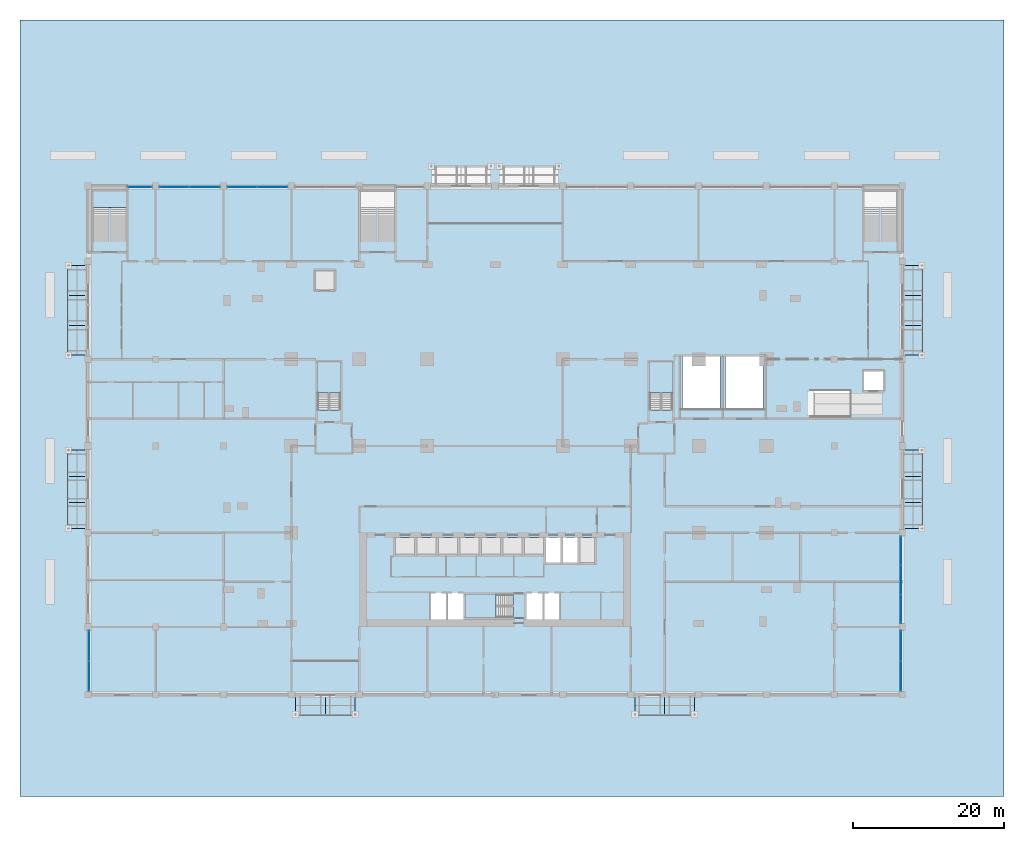
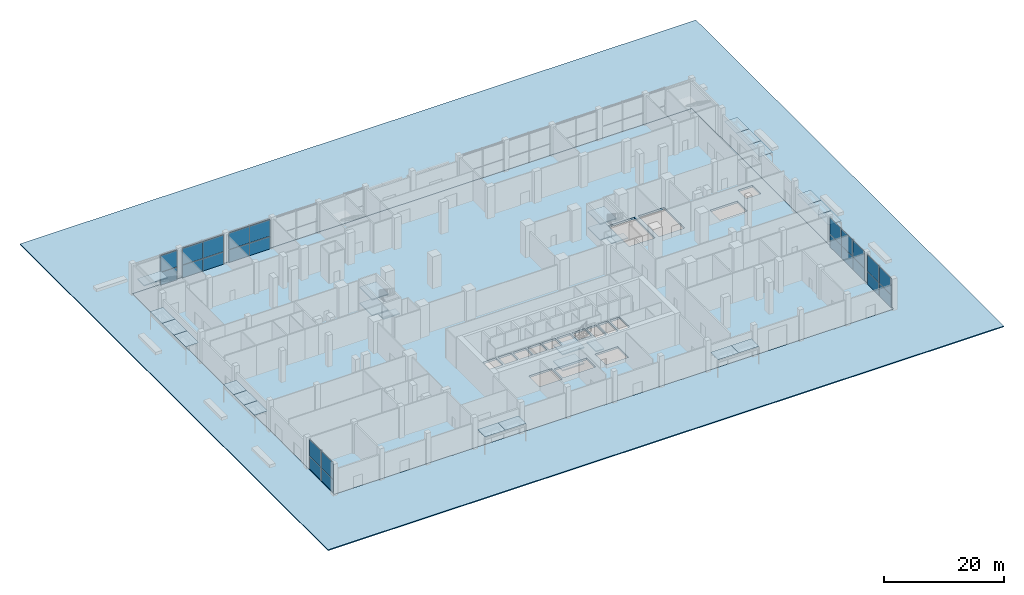
# One storey, part 27 of 39: 40 plates, 12 slabs, 16 elements without a shape of their own.
"""IFC4 building model written with IfcOpenShell, lengths in metres."""

from ifc_helpers import new_model, si_unit, direction, frame, origin, origin_2d, place, context, subcontext, project, spatial, polyline, rectangle, outline, extrude, material, layer, layer_set, type_object, element, aggregate, save


model = new_model("IFC4")

# Units and contexts
model_context = context("Model", 3, precision=1e-05, world=origin(), true_north=direction((0.0, 1.0)))
body_context = subcontext(model_context, "Body", "Model", "MODEL_VIEW")
ifc_project = project(units=[si_unit("LENGTHUNIT", "METRE"), si_unit("AREAUNIT", "SQUARE_METRE"), si_unit("VOLUMEUNIT", "CUBIC_METRE"), si_unit("PLANEANGLEUNIT", "RADIAN"), si_unit("MASSUNIT", "GRAM", prefix="KILO")], contexts=[model_context])

# Site, building, storey
site_placement = place(None, origin())
site = spatial("IfcSite", under=ifc_project, at=site_placement, CompositionType="ELEMENT")
building_placement = place(site_placement, origin())
building = spatial("IfcBuilding", under=site, at=building_placement, Name="Brigalow Station Residences", CompositionType="ELEMENT")
storey_placement = place(building_placement, origin())
storey = spatial("IfcBuildingStorey", under=building, at=storey_placement, Name="L00", CompositionType="ELEMENT", Elevation=0.0)

# Curtain wall, plates
ifc_material_1 = material(Name="Laminated heat-strengthened glass", Category="glass")
ifc_layer_1 = layer(ifc_material_1, 0.02197265625)
ifc_layer_set_1 = layer_set([ifc_layer_1], Name="ENTRANCE CANOPY GLAZING CURTAIN WALL")
curtain_wall_type_1 = type_object("IfcCurtainWallType", Name="ENTRANCE CANOPY GLAZING CURTAIN WALL", PredefinedType="NOTDEFINED", material=ifc_layer_set_1)
curtain_wall_1_placement = place(storey_placement, origin())
curtain_wall_1 = element("IfcCurtainWall", 1, at=curtain_wall_1_placement, inside=storey, type_object=curtain_wall_type_1, Name="L00/canopy-cw/E-entry", PredefinedType="NOTDEFINED")
ifc_material_2 = material(Name="Laminated heat-strengthened glass", Category="glass")
ifc_layer_2 = layer(ifc_material_2, 0.02197265625)
ifc_layer_set_2 = layer_set([ifc_layer_2], Name="ENTRANCE CANOPY GLAZING PANEL 22")
plate_type_1 = type_object("IfcPlateType", Name="ENTRANCE CANOPY GLAZING PANEL 22", PredefinedType="CURTAIN_PANEL", material=ifc_layer_set_2)
plate_1_placement = place(storey_placement, frame((91.425048828125, 38.033203125, 3.677978515625), z_axis=(0.0, 0.0, 1.0), x_axis=(0.0, 1.0, 0.0)))
plate_1 = element("IfcPlate", 2, at=plate_1_placement, type_object=plate_type_1, Name="L00/canopy/E-entry-1", PredefinedType="CURTAIN_PANEL", context=body_context, shape_type="SweptSolid", body=[
    extrude(rectangle(XDim=3.966796875, YDim=2.550048828125, at=origin_2d()), origin(), (0.0, 0.0, 1.0), 0.02197265625),
])
plate_2_placement = place(storey_placement, frame((91.425048828125, 42.0, 3.677978515625), z_axis=(0.0, 0.0, 1.0), x_axis=(0.0, 1.0, 0.0)))
plate_2 = element("IfcPlate", 3, at=plate_2_placement, type_object=plate_type_1, Name="L00/canopy/E-entry-2", PredefinedType="CURTAIN_PANEL", context=body_context, shape_type="SweptSolid", body=[
    extrude(rectangle(XDim=3.966796875, YDim=2.550048828125, at=origin_2d()), origin(), (0.0, 0.0, 1.0), 0.02197265625),
])
plate_3_placement = place(storey_placement, frame((91.425048828125, 45.966796875, 3.677978515625), z_axis=(0.0, 0.0, 1.0), x_axis=(0.0, 1.0, 0.0)))
plate_3 = element("IfcPlate", 4, at=plate_3_placement, type_object=plate_type_1, Name="L00/canopy/E-entry-3", PredefinedType="CURTAIN_PANEL", context=body_context, shape_type="SweptSolid", body=[
    extrude(rectangle(XDim=3.966796875, YDim=2.550048828125, at=origin_2d()), origin(), (0.0, 0.0, 1.0), 0.02197265625),
])
aggregate(curtain_wall_1, [plate_1, plate_2, plate_3])

curtain_wall_2_placement = place(storey_placement, origin())
curtain_wall_2 = element("IfcCurtainWall", 5, at=curtain_wall_2_placement, inside=storey, type_object=curtain_wall_type_1, Name="L00/canopy-cw/E-exit", PredefinedType="NOTDEFINED")
plate_4_placement = place(storey_placement, frame((91.425048828125, 14.783203125, 3.677978515625), z_axis=(0.0, 0.0, 1.0), x_axis=(0.0, 1.0, 0.0)))
plate_4 = element("IfcPlate", 6, at=plate_4_placement, type_object=plate_type_1, Name="L00/canopy/E-exit-1", PredefinedType="CURTAIN_PANEL", context=body_context, shape_type="SweptSolid", body=[
    extrude(rectangle(XDim=3.466796875, YDim=2.550048828125, at=origin_2d()), origin(), (0.0, 0.0, 1.0), 0.02197265625),
])
plate_5_placement = place(storey_placement, frame((91.425048828125, 18.25, 3.677978515625), z_axis=(0.0, 0.0, 1.0), x_axis=(0.0, 1.0, 0.0)))
plate_5 = element("IfcPlate", 7, at=plate_5_placement, type_object=plate_type_1, Name="L00/canopy/E-exit-2", PredefinedType="CURTAIN_PANEL", context=body_context, shape_type="SweptSolid", body=[
    extrude(rectangle(XDim=3.466796875, YDim=2.550048828125, at=origin_2d()), origin(), (0.0, 0.0, 1.0), 0.02197265625),
])
plate_6_placement = place(storey_placement, frame((91.425048828125, 21.716796875, 3.677978515625), z_axis=(0.0, 0.0, 1.0), x_axis=(0.0, 1.0, 0.0)))
plate_6 = element("IfcPlate", 8, at=plate_6_placement, type_object=plate_type_1, Name="L00/canopy/E-exit-3", PredefinedType="CURTAIN_PANEL", context=body_context, shape_type="SweptSolid", body=[
    extrude(rectangle(XDim=3.466796875, YDim=2.550048828125, at=origin_2d()), origin(), (0.0, 0.0, 1.0), 0.02197265625),
])
aggregate(curtain_wall_2, [plate_4, plate_5, plate_6])

curtain_wall_3_placement = place(storey_placement, origin())
curtain_wall_3 = element("IfcCurtainWall", 9, at=curtain_wall_3_placement, inside=storey, type_object=curtain_wall_type_1, Name="L00/canopy-cw/S-resvest", PredefinedType="NOTDEFINED")
plate_7_placement = place(storey_placement, frame((11.52490234375, -10.425048828125, 3.677978515625), z_axis=(0.0, 0.0, 1.0), x_axis=(1.0, 0.0, 0.0)))
plate_7 = element("IfcPlate", 10, at=plate_7_placement, type_object=plate_type_1, Name="L00/canopy/S-resvest-1", PredefinedType="CURTAIN_PANEL", context=body_context, shape_type="SweptSolid", body=[
    extrude(rectangle(XDim=3.949951171875, YDim=2.550048828125, at=origin_2d()), origin(), (0.0, 0.0, 1.0), 0.02197265625),
])
plate_8_placement = place(storey_placement, frame((15.47509765625, -10.425048828125, 3.677978515625), z_axis=(0.0, 0.0, 1.0), x_axis=(1.0, 0.0, 0.0)))
plate_8 = element("IfcPlate", 11, at=plate_8_placement, type_object=plate_type_1, Name="L00/canopy/S-resvest-2", PredefinedType="CURTAIN_PANEL", context=body_context, shape_type="SweptSolid", body=[
    extrude(rectangle(XDim=3.949951171875, YDim=2.550048828125, at=origin_2d()), origin(), (0.0, 0.0, 1.0), 0.02197265625),
])
aggregate(curtain_wall_3, [plate_7, plate_8])

curtain_wall_4_placement = place(storey_placement, origin())
curtain_wall_4 = element("IfcCurtainWall", 12, at=curtain_wall_4_placement, inside=storey, type_object=curtain_wall_type_1, Name="L00/canopy-cw/S-svc", PredefinedType="NOTDEFINED")
plate_9_placement = place(storey_placement, frame((56.52490234375, -10.425048828125, 3.677978515625), z_axis=(0.0, 0.0, 1.0), x_axis=(1.0, 0.0, 0.0)))
plate_9 = element("IfcPlate", 13, at=plate_9_placement, type_object=plate_type_1, Name="L00/canopy/S-svc-1", PredefinedType="CURTAIN_PANEL", context=body_context, shape_type="SweptSolid", body=[
    extrude(rectangle(XDim=3.949951171875, YDim=2.550048828125, at=origin_2d()), origin(), (0.0, 0.0, 1.0), 0.02197265625),
])
plate_10_placement = place(storey_placement, frame((60.47509765625, -10.425048828125, 3.677978515625), z_axis=(0.0, 0.0, 1.0), x_axis=(1.0, 0.0, 0.0)))
plate_10 = element("IfcPlate", 14, at=plate_10_placement, type_object=plate_type_1, Name="L00/canopy/S-svc-2", PredefinedType="CURTAIN_PANEL", context=body_context, shape_type="SweptSolid", body=[
    extrude(rectangle(XDim=3.949951171875, YDim=2.550048828125, at=origin_2d()), origin(), (0.0, 0.0, 1.0), 0.02197265625),
])
aggregate(curtain_wall_4, [plate_9, plate_10])

curtain_wall_5_placement = place(storey_placement, origin())
curtain_wall_5 = element("IfcCurtainWall", 15, at=curtain_wall_5_placement, inside=storey, type_object=curtain_wall_type_1, Name="L00/canopy-cw/W-entry", PredefinedType="NOTDEFINED")
plate_11_placement = place(storey_placement, frame((-19.425048828125, 38.033203125, 3.677978515625), z_axis=(0.0, 0.0, 1.0), x_axis=(0.0, 1.0, 0.0)))
plate_11 = element("IfcPlate", 16, at=plate_11_placement, type_object=plate_type_1, Name="L00/canopy/W-entry-1", PredefinedType="CURTAIN_PANEL", context=body_context, shape_type="SweptSolid", body=[
    extrude(rectangle(XDim=3.966796875, YDim=2.550048828125, at=origin_2d()), origin(), (0.0, 0.0, 1.0), 0.02197265625),
])
plate_12_placement = place(storey_placement, frame((-19.425048828125, 42.0, 3.677978515625), z_axis=(0.0, 0.0, 1.0), x_axis=(0.0, 1.0, 0.0)))
plate_12 = element("IfcPlate", 17, at=plate_12_placement, type_object=plate_type_1, Name="L00/canopy/W-entry-2", PredefinedType="CURTAIN_PANEL", context=body_context, shape_type="SweptSolid", body=[
    extrude(rectangle(XDim=3.966796875, YDim=2.550048828125, at=origin_2d()), origin(), (0.0, 0.0, 1.0), 0.02197265625),
])
plate_13_placement = place(storey_placement, frame((-19.425048828125, 45.966796875, 3.677978515625), z_axis=(0.0, 0.0, 1.0), x_axis=(0.0, 1.0, 0.0)))
plate_13 = element("IfcPlate", 18, at=plate_13_placement, type_object=plate_type_1, Name="L00/canopy/W-entry-3", PredefinedType="CURTAIN_PANEL", context=body_context, shape_type="SweptSolid", body=[
    extrude(rectangle(XDim=3.966796875, YDim=2.550048828125, at=origin_2d()), origin(), (0.0, 0.0, 1.0), 0.02197265625),
])
aggregate(curtain_wall_5, [plate_11, plate_12, plate_13])

curtain_wall_6_placement = place(storey_placement, origin())
curtain_wall_6 = element("IfcCurtainWall", 19, at=curtain_wall_6_placement, inside=storey, type_object=curtain_wall_type_1, Name="L00/canopy-cw/W-exit", PredefinedType="NOTDEFINED")
plate_14_placement = place(storey_placement, frame((-19.425048828125, 14.783203125, 3.677978515625), z_axis=(0.0, 0.0, 1.0), x_axis=(0.0, 1.0, 0.0)))
plate_14 = element("IfcPlate", 20, at=plate_14_placement, type_object=plate_type_1, Name="L00/canopy/W-exit-1", PredefinedType="CURTAIN_PANEL", context=body_context, shape_type="SweptSolid", body=[
    extrude(rectangle(XDim=3.466796875, YDim=2.550048828125, at=origin_2d()), origin(), (0.0, 0.0, 1.0), 0.02197265625),
])
plate_15_placement = place(storey_placement, frame((-19.425048828125, 18.25, 3.677978515625), z_axis=(0.0, 0.0, 1.0), x_axis=(0.0, 1.0, 0.0)))
plate_15 = element("IfcPlate", 21, at=plate_15_placement, type_object=plate_type_1, Name="L00/canopy/W-exit-2", PredefinedType="CURTAIN_PANEL", context=body_context, shape_type="SweptSolid", body=[
    extrude(rectangle(XDim=3.466796875, YDim=2.550048828125, at=origin_2d()), origin(), (0.0, 0.0, 1.0), 0.02197265625),
])
plate_16_placement = place(storey_placement, frame((-19.425048828125, 21.716796875, 3.677978515625), z_axis=(0.0, 0.0, 1.0), x_axis=(0.0, 1.0, 0.0)))
plate_16 = element("IfcPlate", 22, at=plate_16_placement, type_object=plate_type_1, Name="L00/canopy/W-exit-3", PredefinedType="CURTAIN_PANEL", context=body_context, shape_type="SweptSolid", body=[
    extrude(rectangle(XDim=3.466796875, YDim=2.550048828125, at=origin_2d()), origin(), (0.0, 0.0, 1.0), 0.02197265625),
])
aggregate(curtain_wall_6, [plate_14, plate_15, plate_16])

# Slabs
ifc_material_3 = material(Name="Concrete C50", Category="concrete")
ifc_layer_3 = layer(ifc_material_3, 0.402099609375)
ifc_layer_set_3 = layer_set([ifc_layer_3], Name="REINFORCED FLAT PLATE 402 C50")
slab_type_1 = type_object("IfcSlabType", Name="REINFORCED FLAT PLATE 402 C50", PredefinedType="FLOOR", material=ifc_layer_set_3)
slab_1_placement = place(storey_placement, frame((0.0, 0.0, -0.402099609375)))
element("IfcSlab", 23, at=slab_1_placement, inside=storey, type_object=slab_type_1, Name="FLOOR SLAB L00", PredefinedType="FLOOR", context=body_context, shape_type="SweptSolid", body=[
    extrude(outline(polyline([(-18.0, -9.0), (90.0, -9.0), (90.0, 58.5), (-18.0, 58.5), (-18.0, -9.0)]), holes=[polyline([(22.800048828125, 11.89990234375), (25.35009765625, 11.89990234375), (25.35009765625, 9.64990234375), (22.800048828125, 9.64990234375), (22.800048828125, 11.89990234375)]), polyline([(25.64990234375, 11.89990234375), (28.199951171875, 11.89990234375), (28.199951171875, 9.64990234375), (25.64990234375, 9.64990234375), (25.64990234375, 11.89990234375)]), polyline([(28.5, 11.89990234375), (31.050048828125, 11.89990234375), (31.050048828125, 9.64990234375), (28.5, 9.64990234375), (28.5, 11.89990234375)]), polyline([(29.60009765625, 1.0), (27.39990234375, 1.0), (27.39990234375, 4.60009765625), (29.60009765625, 4.60009765625), (31.800048828125, 4.60009765625), (31.800048828125, 1.0), (29.60009765625, 1.0)]), polyline([(31.35009765625, 11.89990234375), (33.89990234375, 11.89990234375), (33.89990234375, 9.64990234375), (31.35009765625, 9.64990234375), (31.35009765625, 11.89990234375)]), polyline([(32.10498046875, 4.294921875), (38.39501953125, 4.294921875), (38.39501953125, 1.304931640625), (32.10498046875, 1.304931640625), (32.10498046875, 4.294921875)]), polyline([(36.75, 11.89990234375), (36.75, 9.64990234375), (34.199951171875, 9.64990234375), (34.199951171875, 11.89990234375), (36.75, 11.89990234375)]), polyline([(39.60009765625, 11.89990234375), (39.60009765625, 9.64990234375), (37.050048828125, 9.64990234375), (37.050048828125, 11.89990234375), (39.60009765625, 11.89990234375)]), polyline([(39.89990234375, 11.89990234375), (42.449951171875, 11.89990234375), (42.449951171875, 9.64990234375), (39.89990234375, 9.64990234375), (39.89990234375, 11.89990234375)]), polyline([(42.39990234375, 1.0), (40.199951171875, 1.0), (40.199951171875, 4.60009765625), (42.39990234375, 4.60009765625), (44.60009765625, 4.60009765625), (44.60009765625, 1.0), (42.39990234375, 1.0)]), polyline([(44.699951171875, 11.89990234375), (44.699951171875, 8.550048828125), (42.75, 8.550048828125), (42.75, 11.89990234375), (44.699951171875, 11.89990234375)]), polyline([(46.949951171875, 11.89990234375), (46.949951171875, 8.550048828125), (45.0, 8.550048828125), (45.0, 11.89990234375), (46.949951171875, 11.89990234375)]), polyline([(47.25, 11.89990234375), (49.199951171875, 11.89990234375), (49.199951171875, 8.550048828125), (47.25, 8.550048828125), (47.25, 11.89990234375)]), polyline([(60.85498046875, 35.8701171875), (65.844970703125, 35.8701171875), (65.844970703125, 28.929931640625), (60.85498046875, 28.929931640625), (60.85498046875, 35.8701171875)]), polyline([(71.544921875, 35.8701171875), (71.544921875, 28.929931640625), (66.554931640625, 28.929931640625), (66.554931640625, 35.8701171875), (71.544921875, 35.8701171875)]), polyline([(77.800048828125, 31.300048828125), (83.080078125, 31.300048828125), (83.080078125, 28.0), (77.800048828125, 28.0), (77.800048828125, 31.300048828125)]), polyline([(87.60009765625, 34.050048828125), (87.60009765625, 31.25), (84.800048828125, 31.25), (84.800048828125, 34.050048828125), (87.60009765625, 34.050048828125)])]), origin(), (0.0, 0.0, 1.0), 0.402099609375),
])
ifc_material_4 = material(Name="Concrete paving units on compacted base", Category="concrete")
ifc_layer_4 = layer(ifc_material_4, 0.199951171875)
ifc_layer_set_4 = layer_set([ifc_layer_4], Name="SITE PAVING 200")
slab_type_2 = type_object("IfcSlabType", Name="SITE PAVING 200", PredefinedType="USERDEFINED", material=ifc_layer_set_4)
slab_2_placement = place(storey_placement, frame((0.0, 0.0, -0.199951171875)))
element("IfcSlab", 24, at=slab_2_placement, inside=storey, type_object=slab_type_2, Name="Site paving", ObjectType="PAVING", PredefinedType="USERDEFINED", context=body_context, shape_type="SweptSolid", body=[
    extrude(outline(polyline([(103.5, -22.5), (103.5, 80.5), (-27.0, 80.5), (-27.0, -22.5), (103.5, -22.5)]), holes=[polyline([(90.0, -9.0), (90.0, 58.5), (-18.0, 58.5), (-18.0, -9.0), (90.0, -9.0)])]), origin(), (0.0, 0.0, 1.0), 0.199951171875),
])

# Stair, slab
ifc_material_5 = material(Name="Concrete C50", Category="concrete")
stair_type_1 = type_object("IfcStairType", Name="STAIR EXIT 2087 2 FLIGHTS", PredefinedType="TWO_STRAIGHT_RUN_STAIR", material=ifc_material_5)
stair_1_placement = place(storey_placement, origin())
stair_1 = element("IfcStair", 25, at=stair_1_placement, inside=storey, type_object=stair_type_1, Name="Exit stair ST-4", PredefinedType="TWO_STRAIGHT_RUN_STAIR")
ifc_material_6 = material(Name="Concrete C50", Category="concrete")
ifc_layer_5 = layer(ifc_material_6, 0.199951171875)
ifc_layer_set_5 = layer_set([ifc_layer_5], Name="STAIR LANDING")
slab_type_3 = type_object("IfcSlabType", Name="STAIR LANDING", PredefinedType="LANDING", material=ifc_layer_set_5)
slab_3_placement = place(storey_placement, frame((0.0, 0.0, 3.050048828125)))
slab_3 = element("IfcSlab", 26, at=slab_3_placement, type_object=slab_type_3, Name="ST-4 landing 1", PredefinedType="LANDING", context=body_context, shape_type="SweptSolid", body=[
    extrude(outline(polyline([(-17.39990234375, 55.614990234375), (-12.824951171875, 55.614990234375), (-12.824951171875, 57.89990234375), (-17.39990234375, 57.89990234375), (-17.39990234375, 55.614990234375)])), origin(), (0.0, 0.0, 1.0), 0.199951171875),
])
aggregate(stair_1, [slab_3])

# Stair, slabs
ifc_material_7 = material(Name="Concrete C50", Category="concrete")
stair_type_2 = type_object("IfcStairType", Name="EXIT STAIR 1400 4 FLIGHT", PredefinedType="DOUBLE_RETURN_STAIR", material=ifc_material_7)
stair_2_placement = place(storey_placement, origin())
stair_2 = element("IfcStair", 27, at=stair_2_placement, inside=storey, type_object=stair_type_2, Name="EXIT STAIR S2 L00", PredefinedType="DOUBLE_RETURN_STAIR")
ifc_material_8 = material(Name="Concrete C50", Category="concrete")
ifc_layer_6 = layer(ifc_material_8, 0.199951171875)
ifc_layer_set_6 = layer_set([ifc_layer_6], Name="STAIR LANDING 200")
slab_type_4 = type_object("IfcSlabType", Name="STAIR LANDING 200", PredefinedType="LANDING", material=ifc_layer_set_6)
slab_4_placement = place(storey_placement, frame((0.0, 0.0, 1.425048828125)))
slab_4 = element("IfcSlab", 28, at=slab_4_placement, type_object=slab_type_4, Name="ST-2 landing 1", PredefinedType="LANDING", context=body_context, shape_type="SweptSolid", body=[
    extrude(outline(polyline([(32.0, 1.199951171875), (36.159912109375, 1.199951171875), (36.159912109375, 4.39990234375), (32.0, 4.39990234375), (32.0, 1.199951171875)])), origin(), (0.0, 0.0, 1.0), 0.199951171875),
])
slab_5_placement = place(storey_placement, frame((0.0, 0.0, 3.050048828125)))
slab_5 = element("IfcSlab", 29, at=slab_5_placement, type_object=slab_type_4, Name="ST-2 landing 2", PredefinedType="LANDING", context=body_context, shape_type="SweptSolid", body=[
    extrude(outline(polyline([(38.39990234375, 1.199951171875), (40.0, 1.199951171875), (40.0, 4.39990234375), (38.39990234375, 4.39990234375), (38.39990234375, 1.199951171875)])), origin(), (0.0, 0.0, 1.0), 0.199951171875),
])
slab_6_placement = place(storey_placement, frame((0.0, 0.0, 4.675048828125)))
slab_6 = element("IfcSlab", 30, at=slab_6_placement, type_object=slab_type_4, Name="ST-2 landing 3", PredefinedType="LANDING", context=body_context, shape_type="SweptSolid", body=[
    extrude(outline(polyline([(32.0, 1.199951171875), (36.159912109375, 1.199951171875), (36.159912109375, 4.39990234375), (32.0, 4.39990234375), (32.0, 1.199951171875)])), origin(), (0.0, 0.0, 1.0), 0.199951171875),
])
aggregate(stair_2, [slab_4, slab_5, slab_6])

stair_3_placement = place(storey_placement, origin())
stair_3 = element("IfcStair", 31, at=stair_3_placement, inside=storey, type_object=stair_type_2, Name="EXIT STAIR S1 L00", PredefinedType="DOUBLE_RETURN_STAIR")
slab_7_placement = place(storey_placement, frame((0.0, 0.0, 1.425048828125)))
slab_7 = element("IfcSlab", 32, at=slab_7_placement, type_object=slab_type_4, Name="ST-1 landing 1", PredefinedType="LANDING", context=body_context, shape_type="SweptSolid", body=[
    extrude(outline(polyline([(12.39990234375, 31.0400390625), (15.60009765625, 31.0400390625), (15.60009765625, 35.199951171875), (12.39990234375, 35.199951171875), (12.39990234375, 31.0400390625)])), origin(), (0.0, 0.0, 1.0), 0.199951171875),
])
slab_8_placement = place(storey_placement, frame((0.0, 0.0, 3.050048828125)))
slab_8 = element("IfcSlab", 33, at=slab_8_placement, type_object=slab_type_4, Name="ST-1 landing 2", PredefinedType="LANDING", context=body_context, shape_type="SweptSolid", body=[
    extrude(outline(polyline([(12.39990234375, 27.199951171875), (15.60009765625, 27.199951171875), (15.60009765625, 28.800048828125), (12.39990234375, 28.800048828125), (12.39990234375, 27.199951171875)])), origin(), (0.0, 0.0, 1.0), 0.199951171875),
])
slab_9_placement = place(storey_placement, frame((0.0, 0.0, 4.675048828125)))
slab_9 = element("IfcSlab", 34, at=slab_9_placement, type_object=slab_type_4, Name="ST-1 landing 3", PredefinedType="LANDING", context=body_context, shape_type="SweptSolid", body=[
    extrude(outline(polyline([(12.39990234375, 31.0400390625), (15.60009765625, 31.0400390625), (15.60009765625, 35.199951171875), (12.39990234375, 35.199951171875), (12.39990234375, 31.0400390625)])), origin(), (0.0, 0.0, 1.0), 0.199951171875),
])
aggregate(stair_3, [slab_7, slab_8, slab_9])

stair_4_placement = place(storey_placement, origin())
stair_4 = element("IfcStair", 35, at=stair_4_placement, inside=storey, type_object=stair_type_2, Name="EXIT STAIR S3 L00", PredefinedType="DOUBLE_RETURN_STAIR")
slab_10_placement = place(storey_placement, frame((0.0, 0.0, 1.425048828125)))
slab_10 = element("IfcSlab", 36, at=slab_10_placement, type_object=slab_type_4, Name="ST-3 landing 1", PredefinedType="LANDING", context=body_context, shape_type="SweptSolid", body=[
    extrude(outline(polyline([(56.39990234375, 31.0400390625), (59.60009765625, 31.0400390625), (59.60009765625, 35.199951171875), (56.39990234375, 35.199951171875), (56.39990234375, 31.0400390625)])), origin(), (0.0, 0.0, 1.0), 0.199951171875),
])
slab_11_placement = place(storey_placement, frame((0.0, 0.0, 3.050048828125)))
slab_11 = element("IfcSlab", 37, at=slab_11_placement, type_object=slab_type_4, Name="ST-3 landing 2", PredefinedType="LANDING", context=body_context, shape_type="SweptSolid", body=[
    extrude(outline(polyline([(56.39990234375, 27.199951171875), (59.60009765625, 27.199951171875), (59.60009765625, 28.800048828125), (56.39990234375, 28.800048828125), (56.39990234375, 27.199951171875)])), origin(), (0.0, 0.0, 1.0), 0.199951171875),
])
slab_12_placement = place(storey_placement, frame((0.0, 0.0, 4.675048828125)))
slab_12 = element("IfcSlab", 38, at=slab_12_placement, type_object=slab_type_4, Name="ST-3 landing 3", PredefinedType="LANDING", context=body_context, shape_type="SweptSolid", body=[
    extrude(outline(polyline([(56.39990234375, 31.0400390625), (59.60009765625, 31.0400390625), (59.60009765625, 35.199951171875), (56.39990234375, 35.199951171875), (56.39990234375, 31.0400390625)])), origin(), (0.0, 0.0, 1.0), 0.199951171875),
])
aggregate(stair_4, [slab_10, slab_11, slab_12])

# Curtain wall, plates
ifc_material_9 = material(Name="Aluminium", Category="aluminium")
ifc_layer_7 = layer(ifc_material_9, 0.179931640625)
ifc_layer_set_7 = layer_set([ifc_layer_7], Name="STATION CONCOURSE SHOPFRONT GLAZING CURTAIN WALL")
curtain_wall_type_2 = type_object("IfcCurtainWallType", Name="STATION CONCOURSE SHOPFRONT GLAZING CURTAIN WALL", PredefinedType="NOTDEFINED", material=ifc_layer_set_7)
curtain_wall_7_placement = place(storey_placement, origin())
curtain_wall_7 = element("IfcCurtainWall", 39, at=curtain_wall_7_placement, inside=storey, type_object=curtain_wall_type_2, Name="L00/cw/podium-W-L00-13-1", PredefinedType="NOTDEFINED")
ifc_material_10 = material(Name="Toughened laminated structural glazing, 6.1 m storey", Category="glass")
ifc_layer_8 = layer(ifc_material_10, 0.06005859375)
ifc_layer_set_8 = layer_set([ifc_layer_8], Name="STATION CONCOURSE SHOPFRONT GLAZING PANEL 60")
plate_type_2 = type_object("IfcPlateType", Name="STATION CONCOURSE SHOPFRONT GLAZING PANEL 60", PredefinedType="CURTAIN_PANEL", material=ifc_layer_set_8)
plate_17_placement = place(storey_placement, frame((89.85009765625, -6.506103515625, 0.0), z_axis=(0.0, 0.0, 1.0), x_axis=(0.0, 1.0, 0.0)))
plate_17 = element("IfcPlate", 40, at=plate_17_placement, type_object=plate_type_2, Name="L00/cw/podium-W-L00-13-1/P00-00", PredefinedType="CURTAIN_PANEL", context=body_context, shape_type="SweptSolid", body=[
    extrude(rectangle(XDim=3.9375, YDim=0.06005859375, at=origin_2d()), origin(), (0.0, 0.0, 1.0), 2.5625),
])
plate_18_placement = place(storey_placement, frame((89.85009765625, -6.506103515625, 2.6376953125), z_axis=(0.0, 0.0, 1.0), x_axis=(0.0, 1.0, 0.0)))
plate_18 = element("IfcPlate", 41, at=plate_18_placement, type_object=plate_type_2, Name="L00/cw/podium-W-L00-13-1/P00-01", PredefinedType="CURTAIN_PANEL", context=body_context, shape_type="SweptSolid", body=[
    extrude(rectangle(XDim=3.9375, YDim=0.06005859375, at=origin_2d()), origin(), (0.0, 0.0, 1.0), 3.385498046875),
])
plate_19_placement = place(storey_placement, frame((89.85009765625, -2.49365234375, 0.0), z_axis=(0.0, 0.0, 1.0), x_axis=(0.0, 1.0, 0.0)))
plate_19 = element("IfcPlate", 42, at=plate_19_placement, type_object=plate_type_2, Name="L00/cw/podium-W-L00-13-1/P01-00", PredefinedType="CURTAIN_PANEL", context=body_context, shape_type="SweptSolid", body=[
    extrude(rectangle(XDim=3.9375, YDim=0.06005859375, at=origin_2d()), origin(), (0.0, 0.0, 1.0), 2.5625),
])
plate_20_placement = place(storey_placement, frame((89.85009765625, -2.49365234375, 2.6376953125), z_axis=(0.0, 0.0, 1.0), x_axis=(0.0, 1.0, 0.0)))
plate_20 = element("IfcPlate", 43, at=plate_20_placement, type_object=plate_type_2, Name="L00/cw/podium-W-L00-13-1/P01-01", PredefinedType="CURTAIN_PANEL", context=body_context, shape_type="SweptSolid", body=[
    extrude(rectangle(XDim=3.9375, YDim=0.06005859375, at=origin_2d()), origin(), (0.0, 0.0, 1.0), 3.385498046875),
])
aggregate(curtain_wall_7, [plate_17, plate_18, plate_19, plate_20])

curtain_wall_8_placement = place(storey_placement, origin())
curtain_wall_8 = element("IfcCurtainWall", 44, at=curtain_wall_8_placement, inside=storey, type_object=curtain_wall_type_2, Name="L00/cw/podium-W-L00-13-2", PredefinedType="NOTDEFINED")
plate_21_placement = place(storey_placement, frame((89.85009765625, 2.402099609375, 0.0), z_axis=(0.0, 0.0, 1.0), x_axis=(0.0, 1.0, 0.0)))
plate_21 = element("IfcPlate", 45, at=plate_21_placement, type_object=plate_type_2, Name="L00/cw/podium-W-L00-13-2/P00-00", PredefinedType="CURTAIN_PANEL", context=body_context, shape_type="SweptSolid", body=[
    extrude(rectangle(XDim=3.754150390625, YDim=0.06005859375, at=origin_2d()), origin(), (0.0, 0.0, 1.0), 2.5625),
])
plate_22_placement = place(storey_placement, frame((89.85009765625, 2.402099609375, 2.6376953125), z_axis=(0.0, 0.0, 1.0), x_axis=(0.0, 1.0, 0.0)))
plate_22 = element("IfcPlate", 46, at=plate_22_placement, type_object=plate_type_2, Name="L00/cw/podium-W-L00-13-2/P00-01", PredefinedType="CURTAIN_PANEL", context=body_context, shape_type="SweptSolid", body=[
    extrude(rectangle(XDim=3.754150390625, YDim=0.06005859375, at=origin_2d()), origin(), (0.0, 0.0, 1.0), 3.385498046875),
])
plate_23_placement = place(storey_placement, frame((89.85009765625, 6.25, 0.0), z_axis=(0.0, 0.0, 1.0), x_axis=(0.0, 1.0, 0.0)))
plate_23 = element("IfcPlate", 47, at=plate_23_placement, type_object=plate_type_2, Name="L00/cw/podium-W-L00-13-2/P01-00", PredefinedType="CURTAIN_PANEL", context=body_context, shape_type="SweptSolid", body=[
    extrude(rectangle(XDim=3.791748046875, YDim=0.06005859375, at=origin_2d()), origin(), (0.0, 0.0, 1.0), 2.5625),
])
plate_24_placement = place(storey_placement, frame((89.85009765625, 6.25, 2.6376953125), z_axis=(0.0, 0.0, 1.0), x_axis=(0.0, 1.0, 0.0)))
plate_24 = element("IfcPlate", 48, at=plate_24_placement, type_object=plate_type_2, Name="L00/cw/podium-W-L00-13-2/P01-01", PredefinedType="CURTAIN_PANEL", context=body_context, shape_type="SweptSolid", body=[
    extrude(rectangle(XDim=3.791748046875, YDim=0.06005859375, at=origin_2d()), origin(), (0.0, 0.0, 1.0), 3.385498046875),
])
plate_25_placement = place(storey_placement, frame((89.85009765625, 10.097900390625, 0.0), z_axis=(0.0, 0.0, 1.0), x_axis=(0.0, 1.0, 0.0)))
plate_25 = element("IfcPlate", 49, at=plate_25_placement, type_object=plate_type_2, Name="L00/cw/podium-W-L00-13-2/P02-00", PredefinedType="CURTAIN_PANEL", context=body_context, shape_type="SweptSolid", body=[
    extrude(rectangle(XDim=3.754150390625, YDim=0.06005859375, at=origin_2d()), origin(), (0.0, 0.0, 1.0), 2.5625),
])
plate_26_placement = place(storey_placement, frame((89.85009765625, 10.097900390625, 2.6376953125), z_axis=(0.0, 0.0, 1.0), x_axis=(0.0, 1.0, 0.0)))
plate_26 = element("IfcPlate", 50, at=plate_26_placement, type_object=plate_type_2, Name="L00/cw/podium-W-L00-13-2/P02-01", PredefinedType="CURTAIN_PANEL", context=body_context, shape_type="SweptSolid", body=[
    extrude(rectangle(XDim=3.754150390625, YDim=0.06005859375, at=origin_2d()), origin(), (0.0, 0.0, 1.0), 3.385498046875),
])
aggregate(curtain_wall_8, [plate_21, plate_22, plate_23, plate_24, plate_25, plate_26])

curtain_wall_9_placement = place(storey_placement, origin())
curtain_wall_9 = element("IfcCurtainWall", 51, at=curtain_wall_9_placement, inside=storey, type_object=curtain_wall_type_2, Name="L00/cw/podium-W-L00-19-10", PredefinedType="NOTDEFINED")
plate_27_placement = place(storey_placement, frame((6.506103515625, 58.35009765625, 0.0), z_axis=(0.0, 0.0, 1.0), x_axis=(-1.0, 0.0, 0.0)))
plate_27 = element("IfcPlate", 52, at=plate_27_placement, type_object=plate_type_2, Name="L00/cw/podium-W-L00-19-10/P00-00", PredefinedType="CURTAIN_PANEL", context=body_context, shape_type="SweptSolid", body=[
    extrude(rectangle(XDim=3.9375, YDim=0.06005859375, at=origin_2d()), origin(), (0.0, 0.0, 1.0), 2.5625),
])
plate_28_placement = place(storey_placement, frame((6.506103515625, 58.35009765625, 2.6376953125), z_axis=(0.0, 0.0, 1.0), x_axis=(-1.0, 0.0, 0.0)))
plate_28 = element("IfcPlate", 53, at=plate_28_placement, type_object=plate_type_2, Name="L00/cw/podium-W-L00-19-10/P00-01", PredefinedType="CURTAIN_PANEL", context=body_context, shape_type="SweptSolid", body=[
    extrude(rectangle(XDim=3.9375, YDim=0.06005859375, at=origin_2d()), origin(), (0.0, 0.0, 1.0), 3.385498046875),
])
plate_29_placement = place(storey_placement, frame((2.49365234375, 58.35009765625, 0.0), z_axis=(0.0, 0.0, 1.0), x_axis=(-1.0, 0.0, 0.0)))
plate_29 = element("IfcPlate", 54, at=plate_29_placement, type_object=plate_type_2, Name="L00/cw/podium-W-L00-19-10/P01-00", PredefinedType="CURTAIN_PANEL", context=body_context, shape_type="SweptSolid", body=[
    extrude(rectangle(XDim=3.9375, YDim=0.06005859375, at=origin_2d()), origin(), (0.0, 0.0, 1.0), 2.5625),
])
plate_30_placement = place(storey_placement, frame((2.49365234375, 58.35009765625, 2.6376953125), z_axis=(0.0, 0.0, 1.0), x_axis=(-1.0, 0.0, 0.0)))
plate_30 = element("IfcPlate", 55, at=plate_30_placement, type_object=plate_type_2, Name="L00/cw/podium-W-L00-19-10/P01-01", PredefinedType="CURTAIN_PANEL", context=body_context, shape_type="SweptSolid", body=[
    extrude(rectangle(XDim=3.9375, YDim=0.06005859375, at=origin_2d()), origin(), (0.0, 0.0, 1.0), 3.385498046875),
])
aggregate(curtain_wall_9, [plate_27, plate_28, plate_29, plate_30])

curtain_wall_10_placement = place(storey_placement, origin())
curtain_wall_10 = element("IfcCurtainWall", 56, at=curtain_wall_10_placement, inside=storey, type_object=curtain_wall_type_2, Name="L00/cw/podium-W-L00-19-11", PredefinedType="NOTDEFINED")
plate_31_placement = place(storey_placement, frame((-2.493896484375, 58.35009765625, 0.0), z_axis=(0.0, 0.0, 1.0), x_axis=(-1.0, 0.0, 0.0)))
plate_31 = element("IfcPlate", 57, at=plate_31_placement, type_object=plate_type_2, Name="L00/cw/podium-W-L00-19-11/P00-00", PredefinedType="CURTAIN_PANEL", context=body_context, shape_type="SweptSolid", body=[
    extrude(rectangle(XDim=3.9375, YDim=0.06005859375, at=origin_2d()), origin(), (0.0, 0.0, 1.0), 2.5625),
])
plate_32_placement = place(storey_placement, frame((-2.493896484375, 58.35009765625, 2.6376953125), z_axis=(0.0, 0.0, 1.0), x_axis=(-1.0, 0.0, 0.0)))
plate_32 = element("IfcPlate", 58, at=plate_32_placement, type_object=plate_type_2, Name="L00/cw/podium-W-L00-19-11/P00-01", PredefinedType="CURTAIN_PANEL", context=body_context, shape_type="SweptSolid", body=[
    extrude(rectangle(XDim=3.9375, YDim=0.06005859375, at=origin_2d()), origin(), (0.0, 0.0, 1.0), 3.385498046875),
])
plate_33_placement = place(storey_placement, frame((-6.50634765625, 58.35009765625, 0.0), z_axis=(0.0, 0.0, 1.0), x_axis=(-1.0, 0.0, 0.0)))
plate_33 = element("IfcPlate", 59, at=plate_33_placement, type_object=plate_type_2, Name="L00/cw/podium-W-L00-19-11/P01-00", PredefinedType="CURTAIN_PANEL", context=body_context, shape_type="SweptSolid", body=[
    extrude(rectangle(XDim=3.9375, YDim=0.06005859375, at=origin_2d()), origin(), (0.0, 0.0, 1.0), 2.5625),
])
plate_34_placement = place(storey_placement, frame((-6.50634765625, 58.35009765625, 2.6376953125), z_axis=(0.0, 0.0, 1.0), x_axis=(-1.0, 0.0, 0.0)))
plate_34 = element("IfcPlate", 60, at=plate_34_placement, type_object=plate_type_2, Name="L00/cw/podium-W-L00-19-11/P01-01", PredefinedType="CURTAIN_PANEL", context=body_context, shape_type="SweptSolid", body=[
    extrude(rectangle(XDim=3.9375, YDim=0.06005859375, at=origin_2d()), origin(), (0.0, 0.0, 1.0), 3.385498046875),
])
aggregate(curtain_wall_10, [plate_31, plate_32, plate_33, plate_34])

curtain_wall_11_placement = place(storey_placement, origin())
curtain_wall_11 = element("IfcCurtainWall", 61, at=curtain_wall_11_placement, inside=storey, type_object=curtain_wall_type_2, Name="L00/cw/podium-W-L00-19-12", PredefinedType="NOTDEFINED")
plate_35_placement = place(storey_placement, frame((-11.125, 58.35009765625, 0.0), z_axis=(0.0, 0.0, 1.0), x_axis=(-1.0, 0.0, 0.0)))
plate_35 = element("IfcPlate", 62, at=plate_35_placement, type_object=plate_type_2, Name="L00/cw/podium-W-L00-19-12/P00-00", PredefinedType="CURTAIN_PANEL", context=body_context, shape_type="SweptSolid", body=[
    extrude(rectangle(XDim=3.199951171875, YDim=0.06005859375, at=origin_2d()), origin(), (0.0, 0.0, 1.0), 2.5625),
])
plate_36_placement = place(storey_placement, frame((-11.125, 58.35009765625, 2.6376953125), z_axis=(0.0, 0.0, 1.0), x_axis=(-1.0, 0.0, 0.0)))
plate_36 = element("IfcPlate", 63, at=plate_36_placement, type_object=plate_type_2, Name="L00/cw/podium-W-L00-19-12/P00-01", PredefinedType="CURTAIN_PANEL", context=body_context, shape_type="SweptSolid", body=[
    extrude(rectangle(XDim=3.199951171875, YDim=0.06005859375, at=origin_2d()), origin(), (0.0, 0.0, 1.0), 3.385498046875),
])
aggregate(curtain_wall_11, [plate_35, plate_36])

curtain_wall_12_placement = place(storey_placement, origin())
curtain_wall_12 = element("IfcCurtainWall", 64, at=curtain_wall_12_placement, inside=storey, type_object=curtain_wall_type_2, Name="L00/cw/podium-W-L00-31-13", PredefinedType="NOTDEFINED")
plate_37_placement = place(storey_placement, frame((-17.85009765625, -2.493896484375, 0.0), z_axis=(0.0, 0.0, 1.0), x_axis=(0.0, -1.0, 0.0)))
plate_37 = element("IfcPlate", 65, at=plate_37_placement, type_object=plate_type_2, Name="L00/cw/podium-W-L00-31-13/P00-00", PredefinedType="CURTAIN_PANEL", context=body_context, shape_type="SweptSolid", body=[
    extrude(rectangle(XDim=3.9375, YDim=0.06005859375, at=origin_2d()), origin(), (0.0, 0.0, 1.0), 2.5625),
])
plate_38_placement = place(storey_placement, frame((-17.85009765625, -2.493896484375, 2.6376953125), z_axis=(0.0, 0.0, 1.0), x_axis=(0.0, -1.0, 0.0)))
plate_38 = element("IfcPlate", 66, at=plate_38_placement, type_object=plate_type_2, Name="L00/cw/podium-W-L00-31-13/P00-01", PredefinedType="CURTAIN_PANEL", context=body_context, shape_type="SweptSolid", body=[
    extrude(rectangle(XDim=3.9375, YDim=0.06005859375, at=origin_2d()), origin(), (0.0, 0.0, 1.0), 3.385498046875),
])
plate_39_placement = place(storey_placement, frame((-17.85009765625, -6.50634765625, 0.0), z_axis=(0.0, 0.0, 1.0), x_axis=(0.0, -1.0, 0.0)))
plate_39 = element("IfcPlate", 67, at=plate_39_placement, type_object=plate_type_2, Name="L00/cw/podium-W-L00-31-13/P01-00", PredefinedType="CURTAIN_PANEL", context=body_context, shape_type="SweptSolid", body=[
    extrude(rectangle(XDim=3.9375, YDim=0.06005859375, at=origin_2d()), origin(), (0.0, 0.0, 1.0), 2.5625),
])
plate_40_placement = place(storey_placement, frame((-17.85009765625, -6.50634765625, 2.6376953125), z_axis=(0.0, 0.0, 1.0), x_axis=(0.0, -1.0, 0.0)))
plate_40 = element("IfcPlate", 68, at=plate_40_placement, type_object=plate_type_2, Name="L00/cw/podium-W-L00-31-13/P01-01", PredefinedType="CURTAIN_PANEL", context=body_context, shape_type="SweptSolid", body=[
    extrude(rectangle(XDim=3.9375, YDim=0.06005859375, at=origin_2d()), origin(), (0.0, 0.0, 1.0), 3.385498046875),
])
aggregate(curtain_wall_12, [plate_37, plate_38, plate_39, plate_40])

save(model, "model.ifc")
